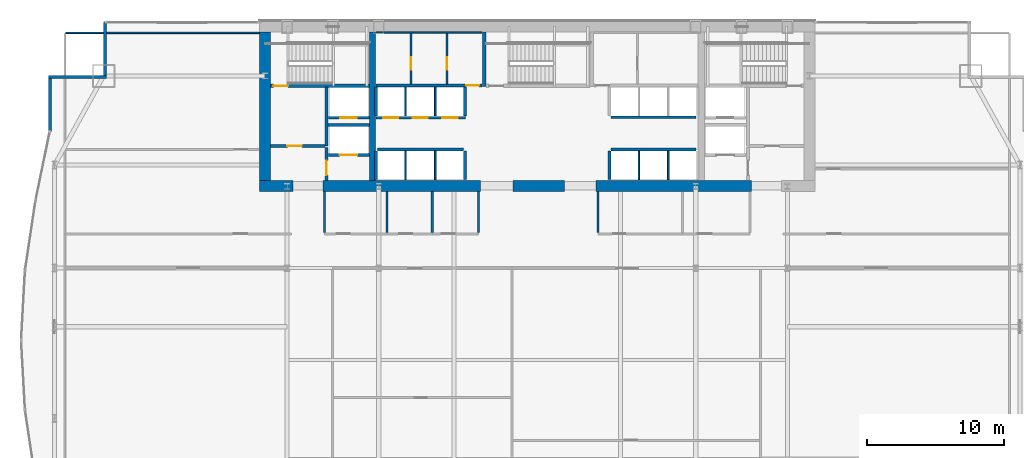
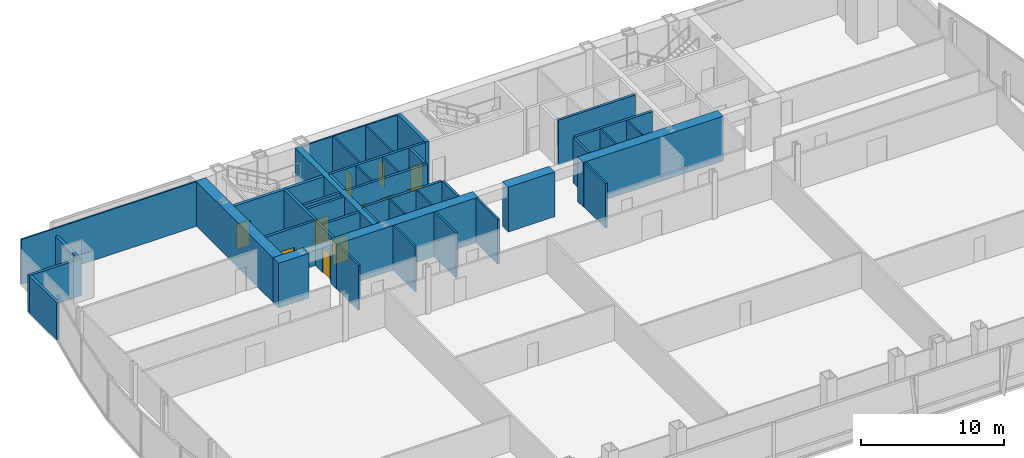
# One storey, part 32 of 36: 42 walls, 11 doors, 11 openings.
"""IFC4 building model written with IfcOpenShell, lengths in metres."""

from ifc_helpers import new_model, si_unit, direction, frame, frame_2d, origin, place, context, subcontext, project, spatial, rectangle, extrude, material, layer, layer_set, type_object, element, fill, save


model = new_model("IFC4")

# Units and contexts
model_context = context("Model", 3, precision=1e-05, world=origin(), true_north=direction((0.0, 1.0)))
body_context = subcontext(model_context, "Body", "Model", "MODEL_VIEW")
ifc_project = project(units=[si_unit("LENGTHUNIT", "METRE"), si_unit("AREAUNIT", "SQUARE_METRE"), si_unit("VOLUMEUNIT", "CUBIC_METRE"), si_unit("PLANEANGLEUNIT", "RADIAN"), si_unit("MASSUNIT", "GRAM", prefix="KILO")], contexts=[model_context])

# Site, building, storey
site_placement = place(None, origin())
site = spatial("IfcSite", under=ifc_project, at=site_placement, CompositionType="ELEMENT")
building_placement = place(site_placement, origin())
building = spatial("IfcBuilding", under=site, at=building_placement, Name="Khoronbel Lancet Exchange", CompositionType="ELEMENT")
storey_placement = place(building_placement, frame((0.0, 0.0, 57.800048828125)))
storey = spatial("IfcBuildingStorey", under=building, at=storey_placement, Name="L13", CompositionType="ELEMENT", Elevation=57.800048828125)

# Walls
ifc_material_1 = material(Name="Concrete C80/95", Category="concrete")
ifc_layer_1 = layer(ifc_material_1, 0.800048828125, Name="Concrete C80/95")
ifc_layer_set_1 = layer_set([ifc_layer_1], Name="Concrete C80/95")
wall_type_1 = type_object("IfcWallType", Name="WL-CW1", PredefinedType="SHEAR", material=ifc_layer_set_1)
wall_1_placement = place(storey_placement, frame((16.60009765625, 42.10009765625, 0.0), z_axis=(0.0, 0.0, 1.0), x_axis=(0.0, 1.0, 0.0)))
element("IfcWall", 1, at=wall_1_placement, inside=storey, type_object=wall_type_1, Name="Level L13 rear core west shear wall", PredefinedType="SHEAR", context=body_context, shape_type="SweptSolid", body=[
    extrude(rectangle(XDim=10.7998046875, YDim=0.800048828125, at=frame_2d((5.39990234375, 0.0))), origin(), (0.0, 0.0, 1.0), 3.820068359375),
])
wall_2_placement = place(storey_placement, frame((18.64990234375, 41.699951171875, 0.0), z_axis=(0.0, 0.0, 1.0), x_axis=(-1.0, 0.0, 0.0)))
element("IfcWall", 2, at=wall_2_placement, inside=storey, type_object=wall_type_1, Name="Level L13 rear core south shear wall pier P1", PredefinedType="SHEAR", context=body_context, shape_type="SweptSolid", body=[
    extrude(rectangle(XDim=2.449951171875, YDim=0.800048828125, at=frame_2d((1.22509765625, 0.0))), origin(), (0.0, 0.0, 1.0), 3.820068359375),
])
wall_3_placement = place(storey_placement, frame((32.300048828125, 41.699951171875, 0.0), z_axis=(0.0, 0.0, 1.0), x_axis=(-1.0, 0.0, 0.0)))
element("IfcWall", 3, at=wall_3_placement, inside=storey, type_object=wall_type_1, Name="Level L13 rear core south shear wall pier P2", PredefinedType="SHEAR", context=body_context, shape_type="SweptSolid", body=[
    extrude(rectangle(XDim=11.449951171875, YDim=0.800048828125, at=frame_2d((5.72509765625, 0.0))), origin(), (0.0, 0.0, 1.0), 3.820068359375),
])
wall_4_placement = place(storey_placement, frame((38.449951171875, 41.699951171875, 0.0), z_axis=(0.0, 0.0, 1.0), x_axis=(-1.0, 0.0, 0.0)))
element("IfcWall", 4, at=wall_4_placement, inside=storey, type_object=wall_type_1, Name="Level L13 rear core south shear wall pier P3", PredefinedType="SHEAR", context=body_context, shape_type="SweptSolid", body=[
    extrude(rectangle(XDim=3.75, YDim=0.800048828125, at=frame_2d((1.875, 0.0))), origin(), (0.0, 0.0, 1.0), 3.820068359375),
])
wall_5_placement = place(storey_placement, frame((52.050048828125, 41.699951171875, 0.0), z_axis=(0.0, 0.0, 1.0), x_axis=(-1.0, 0.0, 0.0)))
element("IfcWall", 5, at=wall_5_placement, inside=storey, type_object=wall_type_1, Name="Level L13 rear core south shear wall pier P4", PredefinedType="SHEAR", context=body_context, shape_type="SweptSolid", body=[
    extrude(rectangle(XDim=11.300048828125, YDim=0.800048828125, at=frame_2d((5.64990234375, 0.0))), origin(), (0.0, 0.0, 1.0), 3.820068359375),
])
ifc_material_2 = material(Name="Precast concrete C40/50", Category="concrete")
ifc_layer_2 = layer(ifc_material_2, 0.25, Name="Precast concrete C40/50")
ifc_layer_set_2 = layer_set([ifc_layer_2], Name="Precast concrete C40/50")
wall_type_2 = type_object("IfcWallType", Name="WL-EXT250", PredefinedType="SOLIDWALL", material=ifc_layer_set_2)
wall_6_placement = place(storey_placement, frame((0.93994140625, 45.6708984375, 0.0), z_axis=(0.0, 0.0, 1.0), x_axis=(0.0, 1.0, 0.0)))
element("IfcWall", 6, at=wall_6_placement, inside=storey, type_object=wall_type_2, Name="Level L13 notched-corner limestone pier 10", PredefinedType="SOLIDWALL", context=body_context, shape_type="SweptSolid", body=[
    extrude(rectangle(XDim=3.8291015625, YDim=0.219970703125, at=frame_2d((1.91455078125, 0.0))), origin(), (0.0, 0.0, 1.0), 3.159912109375),
])
wall_7_placement = place(storey_placement, frame((0.830078125, 49.610107421875, 0.0), z_axis=(0.0, 0.0, 1.0), x_axis=(1.0, 0.0, 0.0)))
element("IfcWall", 7, at=wall_7_placement, inside=storey, type_object=wall_type_2, Name="Level L13 notched-corner limestone pier 11", PredefinedType="SOLIDWALL", context=body_context, shape_type="SweptSolid", body=[
    extrude(rectangle(XDim=4.219970703125, YDim=0.219970703125, at=frame_2d((2.10986328125, 0.0))), origin(), (0.0, 0.0, 1.0), 3.159912109375),
])
wall_8_placement = place(storey_placement, frame((4.93994140625, 49.719970703125, 0.0), z_axis=(0.0, 0.0, 1.0), x_axis=(0.0, 1.0, 0.0)))
element("IfcWall", 8, at=wall_8_placement, inside=storey, type_object=wall_type_2, Name="Level L13 notched-corner limestone pier 12", PredefinedType="SOLIDWALL", context=body_context, shape_type="SweptSolid", body=[
    extrude(rectangle(XDim=3.909912109375, YDim=0.219970703125, at=frame_2d((1.955078125, 0.0))), origin(), (0.0, 0.0, 1.0), 3.159912109375),
])
ifc_material_3 = material(Name="Acoustic Metal-Stud & Mineral-Wool Gypsum Partition 120 mm", Category="gypsum")
ifc_layer_3 = layer(ifc_material_3, 0.1201171875, Name="Acoustic Metal-Stud & Mineral-Wool Gypsum Partition 120 mm")
ifc_layer_set_3 = layer_set([ifc_layer_3], Name="Acoustic Metal-Stud & Mineral-Wool Gypsum Partition 120 mm")
wall_type_3 = type_object("IfcWallType", Name="WL-PRT120", PredefinedType="PARTITIONING", material=ifc_layer_set_3)
for number, where, z_axis, x_axis, name in (
    (9, (20.949951171875, 38.280029296875, 0.0), (0.0, 0.0, 1.0), (0.0, 1.0, 0.0), "Level L13 interior partition PW-WC-0"),
    (10, (25.5, 38.280029296875, 0.0), (0.0, 0.0, 1.0), (0.0, 1.0, 0.0), "Level L13 interior partition PW-WC-1"),
    (11, (28.800048828125, 38.280029296875, 0.0), (0.0, 0.0, 1.0), (0.0, 1.0, 0.0), "Level L13 interior partition PW-WC-2"),
    (12, (32.179931640625, 38.280029296875, 0.0), (0.0, 0.0, 1.0), (0.0, 1.0, 0.0), "Level L13 interior partition PW-WC-3"),
    (13, (40.8798828125, 38.280029296875, 0.0), (0.0, 0.0, 1.0), (0.0, 1.0, 0.0), "Level L13 interior partition PW-NP-0"),
):
    element("IfcWall", number, at=place(storey_placement, frame(where, z_axis=z_axis, x_axis=x_axis)), inside=storey, type_object=wall_type_3, Name=name, PredefinedType="PARTITIONING", context=body_context, shape_type="SweptSolid", body=[
        extrude(rectangle(XDim=3.02001953125, YDim=0.14990234375, at=frame_2d((1.510009765625, 0.0))), origin(), (0.0, 0.0, 1.0), 3.820068359375),
    ])
wall_9_placement = place(storey_placement, frame((2.094970703125, 52.840087890625, 0.0), z_axis=(0.0, 0.0, 1.0), x_axis=(1.0, 0.0, 0.0)))
element("IfcWall", 14, at=wall_9_placement, inside=storey, type_object=wall_type_3, Name="Level L13 interior partition PW-LIN-NW", PredefinedType="PARTITIONING", context=body_context, shape_type="SweptSolid", body=[
    extrude(rectangle(XDim=14.10498046875, YDim=0.1201171875, at=frame_2d((7.052490234375, 0.0))), origin(), (0.0, 0.0, 1.0), 3.820068359375),
])
ifc_material_4 = material(Name="Fire-Rated Metal-Stud & Mineral-Wool Gypsum Partition 120 mm", Category="gypsum")
ifc_layer_4 = layer(ifc_material_4, 0.1201171875, Name="Fire-Rated Metal-Stud & Mineral-Wool Gypsum Partition 120 mm")
ifc_layer_set_4 = layer_set([ifc_layer_4], Name="Fire-Rated Metal-Stud & Mineral-Wool Gypsum Partition 120 mm")
wall_type_4 = type_object("IfcWallType", Name="WL-PRT120F", PredefinedType="PARTITIONING", material=ifc_layer_set_4)
for number, where, z_axis, x_axis, name in (
    (15, (26.860107421875, 46.800048828125, 0.0), (0.0, 0.0, 1.0), (0.0, 1.0, 0.0), "Level L13 interior partition CW-PL-D1"),
    (16, (29.02001953125, 46.800048828125, 0.0), (0.0, 0.0, 1.0), (0.0, 1.0, 0.0), "Level L13 interior partition CW-PL-D2"),
):
    element("IfcWall", number, at=place(storey_placement, frame(where, z_axis=z_axis, x_axis=x_axis)), inside=storey, type_object=wall_type_4, Name=name, PredefinedType="PARTITIONING", context=body_context, shape_type="SweptSolid", body=[
        extrude(rectangle(XDim=2.094970703125, YDim=0.1201171875, at=frame_2d((1.04736328125, 0.0))), origin(), (0.0, 0.0, 1.0), 3.820068359375),
    ])
for number, where, z_axis, x_axis, name in (
    (17, (26.860107421875, 42.14990234375, 0.0), (0.0, 0.0, 1.0), (0.0, 1.0, 0.0), "Level L13 interior partition CW-PM-D1"),
    (18, (29.02001953125, 42.14990234375, 0.0), (0.0, 0.0, 1.0), (0.0, 1.0, 0.0), "Level L13 interior partition CW-PM-D2"),
    (19, (43.860107421875, 42.14990234375, 0.0), (0.0, 0.0, 1.0), (0.0, 1.0, 0.0), "Level L13 interior partition CW-PX-D1"),
    (20, (46.0, 42.14990234375, 0.0), (0.0, 0.0, 1.0), (0.0, 1.0, 0.0), "Level L13 interior partition CW-PX-D2"),
):
    element("IfcWall", number, at=place(storey_placement, frame(where, z_axis=z_axis, x_axis=x_axis)), inside=storey, type_object=wall_type_4, Name=name, PredefinedType="PARTITIONING", context=body_context, shape_type="SweptSolid", body=[
        extrude(rectangle(XDim=2.09521484375, YDim=0.1201171875, at=frame_2d((1.047607421875, 0.0))), origin(), (0.0, 0.0, 1.0), 3.820068359375),
    ])
wall_10_placement = place(storey_placement, frame((24.699951171875, 52.860107421875, 0.0), z_axis=(0.0, 0.0, 1.0), x_axis=(1.0, 0.0, 0.0)))
element("IfcWall", 21, at=wall_10_placement, inside=storey, type_object=wall_type_4, Name="Level L13 interior partition CW-SUP-NW-N", PredefinedType="PARTITIONING", context=body_context, shape_type="SweptSolid", body=[
    extrude(rectangle(XDim=7.719970703125, YDim=0.1201171875, at=frame_2d((3.85986328125, 0.0))), origin(), (0.0, 0.0, 1.0), 3.820068359375),
])

# Wall, opening, door
wall_11_placement = place(storey_placement, frame((27.24755859375, 49.10498046875, 0.0), z_axis=(0.0, 0.0, 1.0), x_axis=(0.0, 1.0, 0.0)))
wall_11 = element("IfcWall", 22, at=wall_11_placement, inside=storey, type_object=wall_type_4, Name="Level L13 interior partition CW-SUP-NW-T1", PredefinedType="PARTITIONING", context=body_context, shape_type="SweptSolid", body=[
    extrude(rectangle(XDim=3.68994140625, YDim=0.1201171875, at=frame_2d((1.844970703125, 0.0))), origin(), (0.0, 0.0, 1.0), 3.820068359375),
])
opening_1_placement = place(wall_11_placement, frame((1.050048828125, 0.0, 0.0)))
opening_1 = element("IfcOpeningElement", 23, at=opening_1_placement, cuts=wall_11, Name="Opening FD4", PredefinedType="OPENING", context=body_context, shape_type="SweptSolid", body=[
    extrude(rectangle(XDim=0.89990234375, YDim=2.050048828125, at=frame_2d((0.449951171875, 1.02490234375))), frame((0.0, 0.070068359375, 0.0), z_axis=(0.0, -1.0, 0.0), x_axis=(1.0, 0.0, 0.0)), (0.0, 0.0, 1.0), 0.14013671875),
])
ifc_material_5 = material(Name="Fire-Rated Steel Core Support Door Assembly", Category="steel")
door_type_1 = type_object("IfcDoorType", Name="DR-FD4", OperationType="NOTDEFINED", PredefinedType="DOOR", material=ifc_material_5)
door_1_placement = place(opening_1_placement, origin())
door_1 = element("IfcDoor", 24, at=door_1_placement, inside=storey, type_object=door_type_1, Name="Core NW bay 1 door L13-1", OperationType="SINGLE_SWING_RIGHT", OverallHeight=2.050048828125, OverallWidth=0.89990234375, PredefinedType="DOOR", context=body_context, shape_type="SweptSolid", body=[
    extrude(rectangle(XDim=0.89990234375, YDim=2.050048828125, at=frame_2d((0.449951171875, 1.02490234375))), frame((0.0, 0.02490234375, 0.0), z_axis=(0.0, -1.0, 0.0), x_axis=(1.0, 0.0, 0.0)), (0.0, 0.0, 1.0), 0.050048828125),
])
fill(opening_1, door_1)

wall_12_placement = place(storey_placement, frame((29.872314453125, 49.10498046875, 0.0), z_axis=(0.0, 0.0, 1.0), x_axis=(0.0, 1.0, 0.0)))
wall_12 = element("IfcWall", 25, at=wall_12_placement, inside=storey, type_object=wall_type_4, Name="Level L13 interior partition CW-SUP-NW-T2", PredefinedType="PARTITIONING", context=body_context, shape_type="SweptSolid", body=[
    extrude(rectangle(XDim=3.68994140625, YDim=0.1201171875, at=frame_2d((1.844970703125, 0.0))), origin(), (0.0, 0.0, 1.0), 3.820068359375),
])
opening_2_placement = place(wall_12_placement, frame((1.050048828125, 0.0, 0.0)))
opening_2 = element("IfcOpeningElement", 26, at=opening_2_placement, cuts=wall_12, Name="Opening FD4", PredefinedType="OPENING", context=body_context, shape_type="SweptSolid", body=[
    extrude(rectangle(XDim=0.89990234375, YDim=2.050048828125, at=frame_2d((0.449951171875, 1.02490234375))), frame((0.0, 0.070068359375, 0.0), z_axis=(0.0, -1.0, 0.0), x_axis=(1.0, 0.0, 0.0)), (0.0, 0.0, 1.0), 0.14013671875),
])
door_2_placement = place(opening_2_placement, origin())
door_2 = element("IfcDoor", 27, at=door_2_placement, inside=storey, type_object=door_type_1, Name="Core NW bay 2 door L13-1", OperationType="SINGLE_SWING_LEFT", OverallHeight=2.050048828125, OverallWidth=0.89990234375, PredefinedType="DOOR", context=body_context, shape_type="SweptSolid", body=[
    extrude(rectangle(XDim=0.89990234375, YDim=2.050048828125, at=frame_2d((0.449951171875, 1.02490234375))), frame((0.0, 0.02490234375, 0.0), z_axis=(0.0, -1.0, 0.0), x_axis=(1.0, 0.0, 0.0)), (0.0, 0.0, 1.0), 0.050048828125),
])
fill(opening_2, door_2)

ifc_material_6 = material(Name="Autoclaved Aerated Concrete Blockwork 200 mm", Category="masonry")
ifc_layer_5 = layer(ifc_material_6, 0.199951171875, Name="Autoclaved Aerated Concrete Blockwork 200 mm")
ifc_layer_set_5 = layer_set([ifc_layer_5], Name="Autoclaved Aerated Concrete Blockwork 200 mm")
wall_type_5 = type_object("IfcWallType", Name="WL-PRT200", PredefinedType="PARTITIONING", material=ifc_layer_set_5)
wall_13_placement = place(storey_placement, frame((24.2099609375, 43.949951171875, 0.0), z_axis=(0.0, 0.0, 1.0), x_axis=(-1.0, 0.0, 0.0)))
wall_13 = element("IfcWall", 28, at=wall_13_placement, inside=storey, type_object=wall_type_5, Name="Level L13 elevator hoistway landing front wall SVLW", PredefinedType="PARTITIONING", context=body_context, shape_type="SweptSolid", body=[
    extrude(rectangle(XDim=2.969970703125, YDim=0.199951171875, at=frame_2d((1.48486328125, 0.0))), origin(), (0.0, 0.0, 1.0), 3.820068359375),
])
opening_3_placement = place(wall_13_placement, frame((0.860107421875, 0.0, 0.0)))
opening_3 = element("IfcOpeningElement", 29, at=opening_3_placement, cuts=wall_13, Name="Opening LD-SVL1", PredefinedType="OPENING", context=body_context, shape_type="SweptSolid", body=[
    extrude(rectangle(XDim=1.300048828125, YDim=2.179931640625, at=frame_2d((0.64990234375, 1.08984375))), frame((0.0, 0.10986328125, 0.0), z_axis=(0.0, -1.0, 0.0), x_axis=(1.0, 0.0, 0.0)), (0.0, 0.0, 1.0), 0.219970703125),
])
ifc_material_7 = material(Name="Heavy-Duty Bi-Parting Goods Lift Landing Door", Category="steel")
door_type_2 = type_object("IfcDoorType", Name="DR-LD-SVL", OperationType="NOTDEFINED", PredefinedType="DOOR", material=ifc_material_7)
door_3_placement = place(opening_3_placement, origin())
door_3 = element("IfcDoor", 30, at=door_3_placement, inside=storey, type_object=door_type_2, Name="Elevator landing sliding door LD-SVL1 L13", OperationType="SLIDING_TO_LEFT", OverallHeight=2.179931640625, OverallWidth=1.300048828125, PredefinedType="DOOR", context=body_context, shape_type="SweptSolid", body=[
    extrude(rectangle(XDim=1.300048828125, YDim=2.179931640625, at=frame_2d((0.64990234375, 1.08984375))), frame((0.0, 0.02490234375, 0.0), z_axis=(0.0, -1.0, 0.0), x_axis=(1.0, 0.0, 0.0)), (0.0, 0.0, 1.0), 0.050048828125),
])
fill(opening_3, door_3)

wall_14_placement = place(storey_placement, frame((24.2099609375, 46.64990234375, 0.0), z_axis=(0.0, 0.0, 1.0), x_axis=(-1.0, 0.0, 0.0)))
wall_14 = element("IfcWall", 31, at=wall_14_placement, inside=storey, type_object=wall_type_5, Name="Level L13 elevator hoistway landing front wall FFLW", PredefinedType="PARTITIONING", context=body_context, shape_type="SweptSolid", body=[
    extrude(rectangle(XDim=2.969970703125, YDim=0.199951171875, at=frame_2d((1.48486328125, 0.0))), origin(), (0.0, 0.0, 1.0), 3.820068359375),
])
opening_4_placement = place(wall_14_placement, frame((0.909912109375, 0.0, 0.0)))
opening_4 = element("IfcOpeningElement", 32, at=opening_4_placement, cuts=wall_14, Name="Opening LD-FFL1", PredefinedType="OPENING", context=body_context, shape_type="SweptSolid", body=[
    extrude(rectangle(XDim=1.199951171875, YDim=2.179931640625, at=frame_2d((0.60009765625, 1.08984375))), frame((0.0, 0.10986328125, 0.0), z_axis=(0.0, -1.0, 0.0), x_axis=(1.0, 0.0, 0.0)), (0.0, 0.0, 1.0), 0.219970703125),
])
ifc_material_8 = material(Name="Fire-Rated Stainless Bi-Parting Firefighting Lift Door", Category="steel")
door_type_3 = type_object("IfcDoorType", Name="DR-LD-FFL", OperationType="NOTDEFINED", PredefinedType="DOOR", material=ifc_material_8)
door_4_placement = place(opening_4_placement, origin())
door_4 = element("IfcDoor", 33, at=door_4_placement, inside=storey, type_object=door_type_3, Name="Elevator landing sliding door LD-FFL1 L13", OperationType="SLIDING_TO_LEFT", OverallHeight=2.179931640625, OverallWidth=1.199951171875, PredefinedType="DOOR", context=body_context, shape_type="SweptSolid", body=[
    extrude(rectangle(XDim=1.199951171875, YDim=2.179931640625, at=frame_2d((0.60009765625, 1.08984375))), frame((0.0, 0.02490234375, 0.0), z_axis=(0.0, -1.0, 0.0), x_axis=(1.0, 0.0, 0.0)), (0.0, 0.0, 1.0), 0.050048828125),
])
fill(opening_4, door_4)

# Wall, openings, doors
wall_15_placement = place(storey_placement, frame((31.219970703125, 46.64990234375, 0.0), z_axis=(0.0, 0.0, 1.0), x_axis=(-1.0, 0.0, 0.0)))
wall_15 = element("IfcWall", 34, at=wall_15_placement, inside=storey, type_object=wall_type_5, Name="Level L13 elevator hoistway landing front wall PLW", PredefinedType="PARTITIONING", context=body_context, shape_type="SweptSolid", body=[
    extrude(rectangle(XDim=6.530029296875, YDim=0.199951171875, at=frame_2d((3.26513671875, 0.0))), origin(), (0.0, 0.0, 1.0), 3.820068359375),
])
opening_5_placement = place(wall_15_placement, frame((4.89990234375, 0.0, 0.0)))
opening_5 = element("IfcOpeningElement", 35, at=opening_5_placement, cuts=wall_15, Name="Opening LD-PL1", PredefinedType="OPENING", context=body_context, shape_type="SweptSolid", body=[
    extrude(rectangle(XDim=1.10009765625, YDim=2.179931640625, at=frame_2d((0.550048828125, 1.08984375))), frame((0.0, 0.10986328125, 0.0), z_axis=(0.0, -1.0, 0.0), x_axis=(1.0, 0.0, 0.0)), (0.0, 0.0, 1.0), 0.219970703125),
])
opening_6_placement = place(wall_15_placement, frame((2.739990234375, 0.0, 0.0)))
opening_6 = element("IfcOpeningElement", 36, at=opening_6_placement, cuts=wall_15, Name="Opening LD-PL2", PredefinedType="OPENING", context=body_context, shape_type="SweptSolid", body=[
    extrude(rectangle(XDim=1.10009765625, YDim=2.179931640625, at=frame_2d((0.550048828125, 1.08984375))), frame((0.0, 0.10986328125, 0.0), z_axis=(0.0, -1.0, 0.0), x_axis=(1.0, 0.0, 0.0)), (0.0, 0.0, 1.0), 0.219970703125),
])
opening_7_placement = place(wall_15_placement, frame((0.580078125, 0.0, 0.0)))
opening_7 = element("IfcOpeningElement", 37, at=opening_7_placement, cuts=wall_15, Name="Opening LD-PL3", PredefinedType="OPENING", context=body_context, shape_type="SweptSolid", body=[
    extrude(rectangle(XDim=1.10009765625, YDim=2.179931640625, at=frame_2d((0.550048828125, 1.08984375))), frame((0.0, 0.10986328125, 0.0), z_axis=(0.0, -1.0, 0.0), x_axis=(1.0, 0.0, 0.0)), (0.0, 0.0, 1.0), 0.219970703125),
])
ifc_material_9 = material(Name="Brushed Bronze Bi-Parting Elevator Landing Door", Category="steel")
door_type_4 = type_object("IfcDoorType", Name="DR-LD-PAX", OperationType="NOTDEFINED", PredefinedType="DOOR", material=ifc_material_9)
door_5_placement = place(opening_5_placement, origin())
door_5 = element("IfcDoor", 38, at=door_5_placement, inside=storey, type_object=door_type_4, Name="Elevator landing sliding door LD-PL1 L13", OperationType="SLIDING_TO_LEFT", OverallHeight=2.179931640625, OverallWidth=1.10009765625, PredefinedType="DOOR", context=body_context, shape_type="SweptSolid", body=[
    extrude(rectangle(XDim=1.10009765625, YDim=2.179931640625, at=frame_2d((0.550048828125, 1.08984375))), frame((0.0, 0.02490234375, 0.0), z_axis=(0.0, -1.0, 0.0), x_axis=(1.0, 0.0, 0.0)), (0.0, 0.0, 1.0), 0.050048828125),
])
fill(opening_5, door_5)
door_6_placement = place(opening_6_placement, origin())
door_6 = element("IfcDoor", 39, at=door_6_placement, inside=storey, type_object=door_type_4, Name="Elevator landing sliding door LD-PL2 L13", OperationType="SLIDING_TO_LEFT", OverallHeight=2.179931640625, OverallWidth=1.10009765625, PredefinedType="DOOR", context=body_context, shape_type="SweptSolid", body=[
    extrude(rectangle(XDim=1.10009765625, YDim=2.179931640625, at=frame_2d((0.550048828125, 1.08984375))), frame((0.0, 0.02490234375, 0.0), z_axis=(0.0, -1.0, 0.0), x_axis=(1.0, 0.0, 0.0)), (0.0, 0.0, 1.0), 0.050048828125),
])
fill(opening_6, door_6)
door_7_placement = place(opening_7_placement, origin())
door_7 = element("IfcDoor", 40, at=door_7_placement, inside=storey, type_object=door_type_4, Name="Elevator landing sliding door LD-PL3 L13", OperationType="SLIDING_TO_LEFT", OverallHeight=2.179931640625, OverallWidth=1.10009765625, PredefinedType="DOOR", context=body_context, shape_type="SweptSolid", body=[
    extrude(rectangle(XDim=1.10009765625, YDim=2.179931640625, at=frame_2d((0.550048828125, 1.08984375))), frame((0.0, 0.02490234375, 0.0), z_axis=(0.0, -1.0, 0.0), x_axis=(1.0, 0.0, 0.0)), (0.0, 0.0, 1.0), 0.050048828125),
])
fill(opening_7, door_7)

# Wall
wall_16_placement = place(storey_placement, frame((21.10009765625, 44.60009765625, 0.0), z_axis=(0.0, 0.0, 1.0), x_axis=(0.0, 1.0, 0.0)))
element("IfcWall", 41, at=wall_16_placement, inside=storey, type_object=wall_type_5, Name="Level L13 interior partition CW-FFLW-E", PredefinedType="PARTITIONING", context=body_context, shape_type="SweptSolid", body=[
    extrude(rectangle(XDim=4.2998046875, YDim=0.199951171875, at=frame_2d((2.14990234375, 0.0))), origin(), (0.0, 0.0, 1.0), 3.820068359375),
])

# Wall, opening, door
wall_17_placement = place(storey_placement, frame((17.0, 44.60009765625, 0.0), z_axis=(0.0, 0.0, 1.0), x_axis=(1.0, 0.0, 0.0)))
wall_17 = element("IfcWall", 42, at=wall_17_placement, inside=storey, type_object=wall_type_5, Name="Level L13 interior partition CW-FFLW-S", PredefinedType="PARTITIONING", context=body_context, shape_type="SweptSolid", body=[
    extrude(rectangle(XDim=4.0, YDim=0.199951171875, at=frame_2d((2.0, 0.0))), origin(), (0.0, 0.0, 1.0), 3.820068359375),
])
opening_8_placement = place(wall_17_placement, frame((1.25, 0.0, 0.0)))
opening_8 = element("IfcOpeningElement", 43, at=opening_8_placement, cuts=wall_17, Name="Opening FD1", PredefinedType="OPENING", context=body_context, shape_type="SweptSolid", body=[
    extrude(rectangle(XDim=1.050048828125, YDim=2.14990234375, at=frame_2d((0.52490234375, 1.074951171875))), frame((0.0, 0.10986328125, 0.0), z_axis=(0.0, -1.0, 0.0), x_axis=(1.0, 0.0, 0.0)), (0.0, 0.0, 1.0), 0.219970703125),
])
ifc_material_10 = material(Name="Fire-Rated Painted Steel Door Assembly", Category="steel")
door_type_5 = type_object("IfcDoorType", Name="DR-FD1", OperationType="NOTDEFINED", PredefinedType="DOOR", material=ifc_material_10)
door_8_placement = place(opening_8_placement, origin())
door_8 = element("IfcDoor", 44, at=door_8_placement, inside=storey, type_object=door_type_5, Name="West firefighting lobby FD90S door L13-1", OperationType="SINGLE_SWING_LEFT", OverallHeight=2.14990234375, OverallWidth=1.050048828125, PredefinedType="DOOR", context=body_context, shape_type="SweptSolid", body=[
    extrude(rectangle(XDim=1.050048828125, YDim=2.14990234375, at=frame_2d((0.52490234375, 1.074951171875))), frame((0.0, 0.02490234375, 0.0), z_axis=(0.0, -1.0, 0.0), x_axis=(1.0, 0.0, 0.0)), (0.0, 0.0, 1.0), 0.050048828125),
])
fill(opening_8, door_8)

# Wall
wall_18_placement = place(storey_placement, frame((21.199951171875, 46.1201171875, 0.0), z_axis=(0.0, 0.0, 1.0), x_axis=(1.0, 0.0, 0.0)))
element("IfcWall", 45, at=wall_18_placement, inside=storey, type_object=wall_type_5, Name="Level L13 interior partition CW-FFL1-S", PredefinedType="PARTITIONING", context=body_context, shape_type="SweptSolid", body=[
    extrude(rectangle(XDim=3.02001953125, YDim=0.199951171875, at=frame_2d((1.510009765625, 0.0))), origin(), (0.0, 0.0, 1.0), 3.820068359375),
])

# Wall, opening, door
wall_19_placement = place(storey_placement, frame((21.10009765625, 42.10009765625, 0.0), z_axis=(0.0, 0.0, 1.0), x_axis=(0.0, 1.0, 0.0)))
wall_19 = element("IfcWall", 46, at=wall_19_placement, inside=storey, type_object=wall_type_5, Name="Level L13 interior partition CW-SVLW-W", PredefinedType="PARTITIONING", context=body_context, shape_type="SweptSolid", body=[
    extrude(rectangle(XDim=2.39501953125, YDim=0.199951171875, at=frame_2d((1.197509765625, 0.0))), origin(), (0.0, 0.0, 1.0), 3.820068359375),
])
opening_9_placement = place(wall_19_placement, frame((0.3798828125, 0.0, 0.0)))
opening_9 = element("IfcOpeningElement", 47, at=opening_9_placement, cuts=wall_19, Name="Opening FD1", PredefinedType="OPENING", context=body_context, shape_type="SweptSolid", body=[
    extrude(rectangle(XDim=1.050048828125, YDim=2.14990234375, at=frame_2d((0.52490234375, 1.074951171875))), frame((0.0, 0.10986328125, 0.0), z_axis=(0.0, -1.0, 0.0), x_axis=(1.0, 0.0, 0.0)), (0.0, 0.0, 1.0), 0.219970703125),
])
door_9_placement = place(opening_9_placement, origin())
door_9 = element("IfcDoor", 48, at=door_9_placement, inside=storey, type_object=door_type_5, Name="West service lift lobby door L13-1", OperationType="SINGLE_SWING_RIGHT", OverallHeight=2.14990234375, OverallWidth=1.050048828125, PredefinedType="DOOR", context=body_context, shape_type="SweptSolid", body=[
    extrude(rectangle(XDim=1.050048828125, YDim=2.14990234375, at=frame_2d((0.52490234375, 1.074951171875))), frame((0.0, 0.02490234375, 0.0), z_axis=(0.0, -1.0, 0.0), x_axis=(1.0, 0.0, 0.0)), (0.0, 0.0, 1.0), 0.050048828125),
])
fill(opening_9, door_9)

# Walls
for number, where, z_axis, x_axis, name in (
    (49, (24.699951171875, 46.800048828125, 0.0), (0.0, 0.0, 1.0), (0.0, 1.0, 0.0), "Level L13 interior partition CW-PL-W"),
    (50, (31.179931640625, 46.800048828125, 0.0), (0.0, 0.0, 1.0), (0.0, 1.0, 0.0), "Level L13 interior partition CW-PL-E"),
):
    element("IfcWall", number, at=place(storey_placement, frame(where, z_axis=z_axis, x_axis=x_axis)), inside=storey, type_object=wall_type_5, Name=name, PredefinedType="PARTITIONING", context=body_context, shape_type="SweptSolid", body=[
        extrude(rectangle(XDim=2.094970703125, YDim=0.199951171875, at=frame_2d((1.04736328125, 0.0))), origin(), (0.0, 0.0, 1.0), 3.820068359375),
    ])
wall_20_placement = place(storey_placement, frame((24.804931640625, 44.35009765625, 0.0), z_axis=(0.0, 0.0, 1.0), x_axis=(1.0, 0.0, 0.0)))
element("IfcWall", 51, at=wall_20_placement, inside=storey, type_object=wall_type_5, Name="Level L13 interior partition CW-PM-EXP", PredefinedType="PARTITIONING", context=body_context, shape_type="SweptSolid", body=[
    extrude(rectangle(XDim=6.27001953125, YDim=0.199951171875, at=frame_2d((3.135009765625, 0.0))), origin(), (0.0, 0.0, 1.0), 3.820068359375),
])
for number, where, z_axis, x_axis, name in (
    (52, (24.699951171875, 42.14990234375, 0.0), (0.0, 0.0, 1.0), (0.0, 1.0, 0.0), "Level L13 interior partition CW-PM-W"),
    (53, (31.179931640625, 42.14990234375, 0.0), (0.0, 0.0, 1.0), (0.0, 1.0, 0.0), "Level L13 interior partition CW-PM-E"),
):
    element("IfcWall", number, at=place(storey_placement, frame(where, z_axis=z_axis, x_axis=x_axis)), inside=storey, type_object=wall_type_5, Name=name, PredefinedType="PARTITIONING", context=body_context, shape_type="SweptSolid", body=[
        extrude(rectangle(XDim=2.09521484375, YDim=0.199951171875, at=frame_2d((1.047607421875, 0.0))), origin(), (0.0, 0.0, 1.0), 3.820068359375),
    ])
for number, where, z_axis, x_axis, name in (
    (54, (41.824951171875, 46.699951171875, 0.0), (0.0, 0.0, 1.0), (1.0, 0.0, 0.0), "Level L13 interior partition CW-PH-EXP"),
    (55, (41.824951171875, 44.35009765625, 0.0), (0.0, 0.0, 1.0), (1.0, 0.0, 0.0), "Level L13 interior partition CW-PX-EXP"),
):
    element("IfcWall", number, at=place(storey_placement, frame(where, z_axis=z_axis, x_axis=x_axis)), inside=storey, type_object=wall_type_5, Name=name, PredefinedType="PARTITIONING", context=body_context, shape_type="SweptSolid", body=[
        extrude(rectangle(XDim=6.2099609375, YDim=0.199951171875, at=frame_2d((3.10498046875, 0.0))), origin(), (0.0, 0.0, 1.0), 3.820068359375),
    ])
wall_21_placement = place(storey_placement, frame((41.719970703125, 42.14990234375, 0.0), z_axis=(0.0, 0.0, 1.0), x_axis=(0.0, 1.0, 0.0)))
element("IfcWall", 56, at=wall_21_placement, inside=storey, type_object=wall_type_5, Name="Level L13 interior partition CW-PX-W", PredefinedType="PARTITIONING", context=body_context, shape_type="SweptSolid", body=[
    extrude(rectangle(XDim=2.09521484375, YDim=0.199951171875, at=frame_2d((1.047607421875, 0.0))), origin(), (0.0, 0.0, 1.0), 3.820068359375),
])

# Wall, opening, door
wall_22_placement = place(storey_placement, frame((24.699951171875, 49.0, 0.0), z_axis=(0.0, 0.0, 1.0), x_axis=(1.0, 0.0, 0.0)))
wall_22 = element("IfcWall", 57, at=wall_22_placement, inside=storey, type_object=wall_type_5, Name="Level L13 interior partition CW-SUP-NW-S", PredefinedType="PARTITIONING", context=body_context, shape_type="SweptSolid", body=[
    extrude(rectangle(XDim=7.719970703125, YDim=0.199951171875, at=frame_2d((3.85986328125, 0.0))), origin(), (0.0, 0.0, 1.0), 3.820068359375),
])
opening_10_placement = place(wall_22_placement, frame((6.56005859375, 0.0, 0.0)))
opening_10 = element("IfcOpeningElement", 58, at=opening_10_placement, cuts=wall_22, Name="Opening FD3", PredefinedType="OPENING", context=body_context, shape_type="SweptSolid", body=[
    extrude(rectangle(XDim=0.949951171875, YDim=2.10009765625, at=frame_2d((0.47509765625, 1.050048828125))), frame((0.0, 0.10986328125, 0.0), z_axis=(0.0, -1.0, 0.0), x_axis=(1.0, 0.0, 0.0)), (0.0, 0.0, 1.0), 0.219970703125),
])
ifc_material_11 = material(Name="Fire-Rated Steel Plant & Riser Door Assembly", Category="steel")
door_type_6 = type_object("IfcDoorType", Name="DR-FD3", OperationType="NOTDEFINED", PredefinedType="DOOR", material=ifc_material_11)
door_10_placement = place(opening_10_placement, origin())
door_10 = element("IfcDoor", 59, at=door_10_placement, inside=storey, type_object=door_type_6, Name="Core NW support room door L13-1", OperationType="SINGLE_SWING_LEFT", OverallHeight=2.10009765625, OverallWidth=0.949951171875, PredefinedType="DOOR", context=body_context, shape_type="SweptSolid", body=[
    extrude(rectangle(XDim=0.949951171875, YDim=2.10009765625, at=frame_2d((0.47509765625, 1.050048828125))), frame((0.0, 0.02490234375, 0.0), z_axis=(0.0, -1.0, 0.0), x_axis=(1.0, 0.0, 0.0)), (0.0, 0.0, 1.0), 0.050048828125),
])
fill(opening_10, door_10)

# Walls
ifc_layer_6 = layer(ifc_material_1, 0.449951171875, Name="Concrete C80/95")
ifc_layer_set_6 = layer_set([ifc_layer_6], Name="Concrete C80/95")
wall_type_6 = type_object("IfcWallType", Name="WL-SW1", PredefinedType="SHEAR", material=ifc_layer_set_6)
wall_23_placement = place(storey_placement, frame((24.449951171875, 42.10009765625, 0.0), z_axis=(0.0, 0.0, 1.0), x_axis=(0.0, 1.0, 0.0)))
element("IfcWall", 60, at=wall_23_placement, inside=storey, type_object=wall_type_6, Name="Level L13 rear core internal spine shear wall IW", PredefinedType="SHEAR", context=body_context, shape_type="SweptSolid", body=[
    extrude(rectangle(XDim=10.7998046875, YDim=0.449951171875, at=frame_2d((5.39990234375, 0.0))), origin(), (0.0, 0.0, 1.0), 3.820068359375),
])
ifc_material_12 = material(Name="Concrete C60/75", Category="concrete")
ifc_layer_7 = layer(ifc_material_12, 0.260009765625, Name="Concrete C60/75")
ifc_layer_set_7 = layer_set([ifc_layer_7], Name="Concrete C60/75")
wall_type_7 = type_object("IfcWallType", Name="WL-SW3", PredefinedType="SHEAR", material=ifc_layer_set_7)
wall_24_placement = place(storey_placement, frame((32.580078125, 48.949951171875, 0.0), z_axis=(0.0, 0.0, 1.0), x_axis=(0.0, 1.0, 0.0)))
element("IfcWall", 61, at=wall_24_placement, inside=storey, type_object=wall_type_7, Name="Level L13 central stairwell structural shear wall ST3W", PredefinedType="SHEAR", context=body_context, shape_type="SweptSolid", body=[
    extrude(rectangle(XDim=3.949951171875, YDim=0.260009765625, at=frame_2d((1.97509765625, 0.0))), origin(), (0.0, 0.0, 1.0), 3.820068359375),
])

# Wall, opening, door
wall_25_placement = place(storey_placement, frame((17.0, 48.97998046875, 0.0), z_axis=(0.0, 0.0, 1.0), x_axis=(1.0, 0.0, 0.0)))
wall_25 = element("IfcWall", 62, at=wall_25_placement, inside=storey, type_object=wall_type_7, Name="Level L13 west stairwell structural south wall", PredefinedType="SHEAR", context=body_context, shape_type="SweptSolid", body=[
    extrude(rectangle(XDim=7.219970703125, YDim=0.239990234375, at=frame_2d((3.60986328125, 0.0))), origin(), (0.0, 0.0, 1.0), 3.820068359375),
])
opening_11_placement = place(wall_25_placement, frame((0.219970703125, 0.0, 0.0)))
opening_11 = element("IfcOpeningElement", 63, at=opening_11_placement, cuts=wall_25, Name="Opening SD1", PredefinedType="OPENING", context=body_context, shape_type="SweptSolid", body=[
    extrude(rectangle(XDim=1.050048828125, YDim=2.14990234375, at=frame_2d((0.52490234375, 1.074951171875))), frame((0.0, 0.1298828125, 0.0), z_axis=(0.0, -1.0, 0.0), x_axis=(1.0, 0.0, 0.0)), (0.0, 0.0, 1.0), 0.260009765625),
])
ifc_material_13 = material(Name="Fire-Rated Steel Stairwell Door Assembly", Category="steel")
door_type_7 = type_object("IfcDoorType", Name="DR-SD1", OperationType="NOTDEFINED", PredefinedType="DOOR", material=ifc_material_13)
door_11_placement = place(opening_11_placement, origin())
door_11 = element("IfcDoor", 64, at=door_11_placement, inside=storey, type_object=door_type_7, Name="Protected exit stair ST1 door L13", OperationType="SINGLE_SWING_LEFT", OverallHeight=2.14990234375, OverallWidth=1.050048828125, PredefinedType="DOOR", context=body_context, shape_type="SweptSolid", body=[
    extrude(rectangle(XDim=1.050048828125, YDim=2.14990234375, at=frame_2d((0.52490234375, 1.074951171875))), frame((0.0, 0.02490234375, 0.0), z_axis=(0.0, -1.0, 0.0), x_axis=(1.0, 0.0, 0.0)), (0.0, 0.0, 1.0), 0.050048828125),
])
fill(opening_11, door_11)

save(model, "model.ifc")
